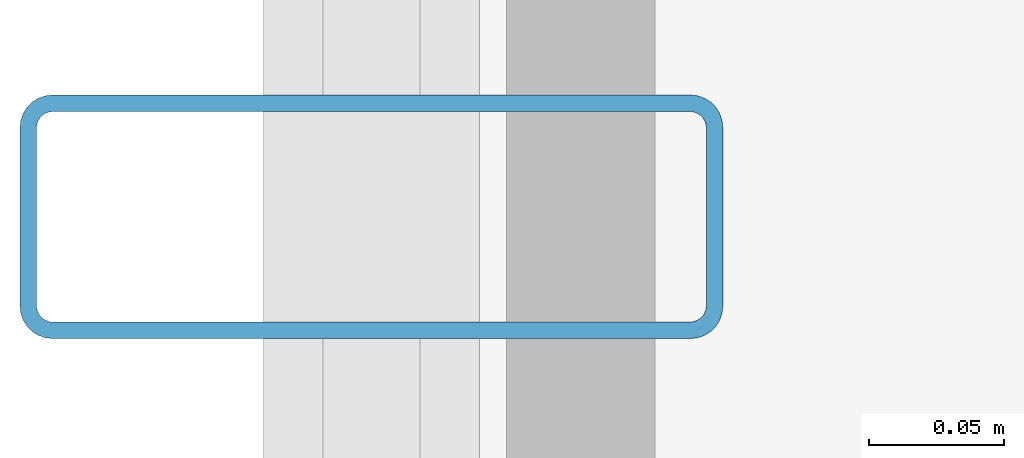
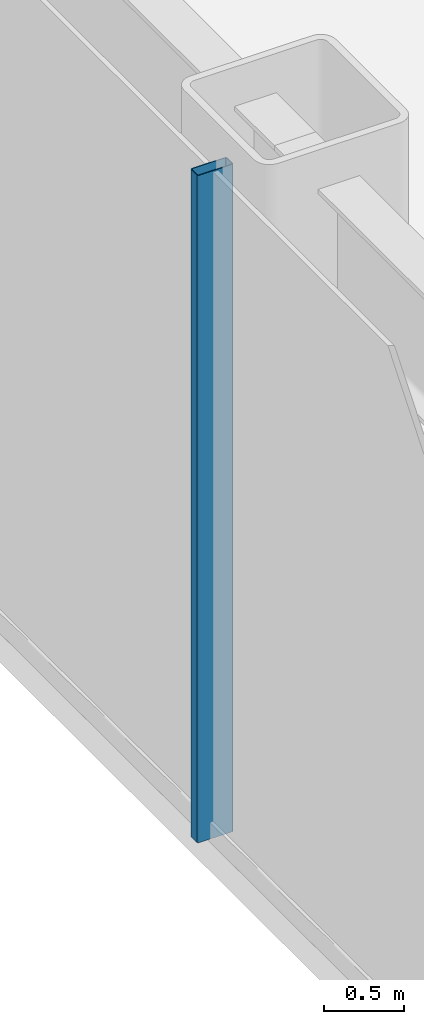
# One storey, part 4 of 24: 1 member, 1 element without a shape of its own.
"""IFC4 building model written with IfcOpenShell, lengths in metres."""

from ifc_helpers import new_model, si_unit, direction, frame, origin, origin_2d, place, context, subcontext, project, spatial, hollow_rectangle, extrude, source, transform, mapped, material, layer, layer_set, material_profile, profile_set, type_object, element, aggregate, save


model = new_model("IFC4")

# Units and contexts
model_context = context("Model", 3, precision=1e-05, world=origin(), true_north=direction((0.0, 1.0)))
body_context = subcontext(model_context, "Body", "Model", "MODEL_VIEW")
ifc_project = project(units=[si_unit("LENGTHUNIT", "METRE"), si_unit("AREAUNIT", "SQUARE_METRE"), si_unit("VOLUMEUNIT", "CUBIC_METRE"), si_unit("PLANEANGLEUNIT", "RADIAN"), si_unit("MASSUNIT", "GRAM", prefix="KILO")], contexts=[model_context])

# Site, building, storey
site_placement = place(None, origin())
site = spatial("IfcSite", under=ifc_project, at=site_placement, CompositionType="ELEMENT")
building_placement = place(site_placement, origin())
building = spatial("IfcBuilding", under=site, at=building_placement, Name="Nefas-Gora Pilgrimage Tower", CompositionType="ELEMENT")
storey_placement = place(building_placement, frame((0.0, 0.0, 11.39990234375)))
storey = spatial("IfcBuildingStorey", under=building, at=storey_placement, Name="L02", CompositionType="ELEMENT", Elevation=11.39990234375)

# Curtain wall, member
ifc_material_1 = material(Name="Dark ceramic-fritted solar-control aluminium-glass curtain wall", Category="aluminium")
ifc_layer = layer(ifc_material_1, 0.219970703125)
ifc_layer_set = layer_set([ifc_layer], Name="Dark ceramic-fritted solar-control aluminium-glass curtain wall")
curtain_wall_type = type_object("IfcCurtainWallType", Name="CW-SYS-1", PredefinedType="NOTDEFINED", material=ifc_layer_set)
curtain_wall_placement = place(storey_placement, origin())
curtain_wall = element("IfcCurtainWall", 1, at=curtain_wall_placement, inside=storey, type_object=curtain_wall_type, Name="L02 Unitised Curtain Wall CW1", PredefinedType="NOTDEFINED")
ifc_material_2 = material(Name="Anodised architectural aluminium", Category="aluminium")
ifc_material_profile = material_profile(ifc_material_2, hollow_rectangle(XDim=0.090087890625, YDim=0.260009765625, WallThickness=0.006103515625, InnerFilletRadius=0.006103515625, OuterFilletRadius=0.011962890625, at=origin_2d()), Name="ALU MULLION 90x260")
ifc_profile_set = profile_set([ifc_material_profile], Name="Anodised architectural aluminium")
member_type = type_object("IfcMemberType", Name="CWM-MUL-1", PredefinedType="MULLION", material=ifc_profile_set)
shared_shape = source(origin(), body_context, "Body", "SweptSolid", [
    extrude(hollow_rectangle(XDim=0.090087890625, YDim=0.260009765625, WallThickness=0.006103515625, InnerFilletRadius=0.006103515625, OuterFilletRadius=0.011962890625, at=origin_2d()), origin(), (0.0, 0.0, 1.0), 5.10009765625),
])
member_placement = place(storey_placement, frame((-38.25, 0.0, 0.0), z_axis=(0.0, 0.0, 1.0), x_axis=(0.0, -1.0, 0.0)))
member = element("IfcMember", 2, at=member_placement, type_object=member_type, Name="CW1 Mullion 2", PredefinedType="MULLION", context=body_context, shape_type="MappedRepresentation", body=[
    mapped(shared_shape, transform((0.0, 0.0, 0.0), x_axis=(1.0, 0.0, 0.0), y_axis=(0.0, 1.0, 0.0), z_axis=(0.0, 0.0, 1.0), scale=1.0)),
])
aggregate(curtain_wall, [member])

save(model, "model.ifc")
